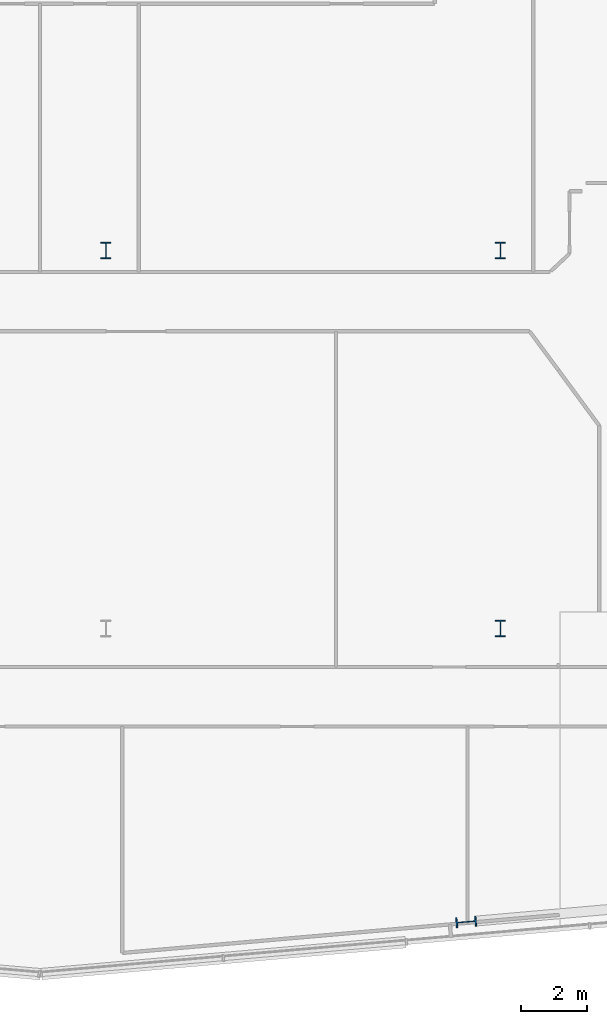
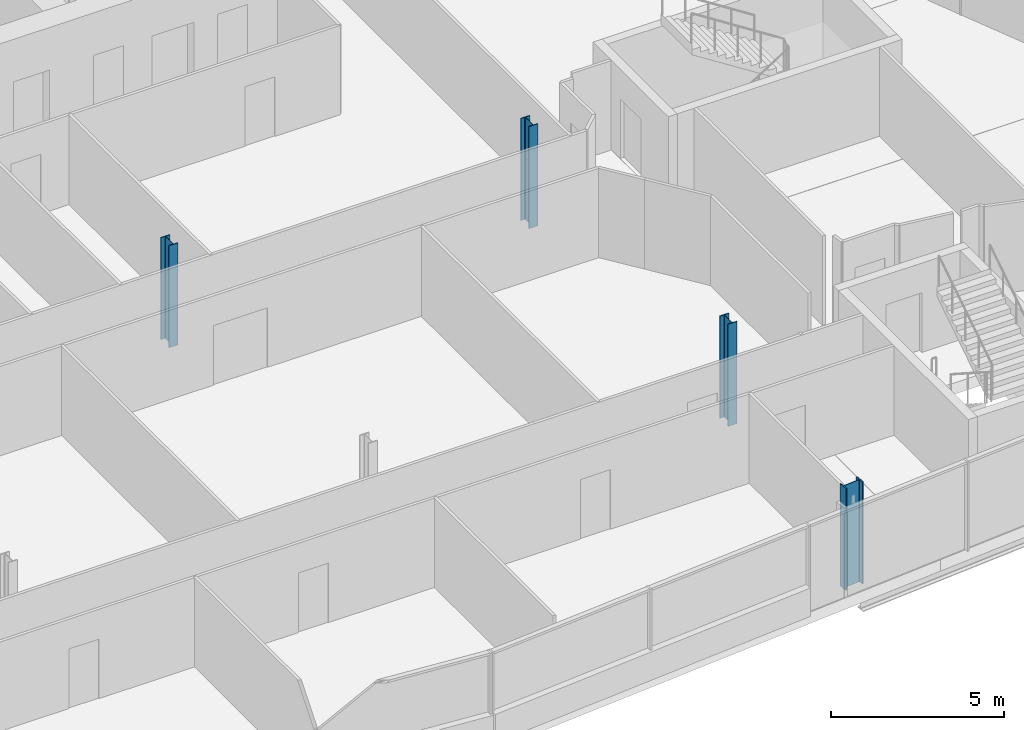
# One storey, part 2 of 24: 4 columns.
"""IFC4 building model written with IfcOpenShell, lengths in metres."""

import ifcopenshell
import ifcopenshell.guid

model = None  # the IFC model being written
_history = None  # IfcOwnerHistory: only IFC2X3 demands one
_inside = {}  # id of a spatial element -> (the spatial element, [elements in it])
_under = {}  # id of a project, library or spatial element -> (it, [spatial elements below it])
_declared = {}  # id of a project -> (the project, [libraries it declares])
_typed = {}  # id of a type object -> (the type object, [elements of that type])
_made_of = {}  # id of a material, layer set ... -> (it, [elements and type objects made of it])


def new_model(schema):
    """Start an empty IFC model of exactly this schema.

    Asked for "IFC4X3", IfcOpenShell would pick the latest addendum, in which some entities
    have other attributes; the version numbers below select the first issue.
    IFC2X3 requires an IfcOwnerHistory on every rooted entity: one is made here for all.
    """
    global model, _history
    if schema == "IFC4X3":
        model = ifcopenshell.file(schema_version=(4, 3, 0, 0))
    else:
        model = ifcopenshell.file(schema=schema)
    _inside.clear()
    _under.clear()
    _declared.clear()
    _typed.clear()
    _made_of.clear()
    _history = None
    if model.schema == "IFC2X3":
        org = make("IfcOrganization", Name="unknown")
        user = make(
            "IfcPersonAndOrganization",
            ThePerson=make("IfcPerson", FamilyName="unknown"),
            TheOrganization=org,
        )
        app = make(
            "IfcApplication",
            ApplicationDeveloper=org,
            Version="unknown",
            ApplicationFullName="unknown",
            ApplicationIdentifier="unknown",
        )
        _history = make(
            "IfcOwnerHistory",
            OwningUser=user,
            OwningApplication=app,
            ChangeAction="ADDED",
            CreationDate=0,
        )
    return model


def make(cls, **values):
    """One entity of the class cls with the attributes given. An attribute that is None is left unset."""
    return model.create_entity(
        cls, **{name: value for name, value in values.items() if value is not None}
    )


def rooted(cls, **values):
    """An entity with a GlobalId (a new one), such as an element, a storey or a relation."""
    return make(cls, GlobalId=ifcopenshell.guid.new(), OwnerHistory=_history, **values)


def si_unit(unit_type, name, prefix=None):
    """IfcSIUnit, for example si_unit("LENGTHUNIT", "METRE", prefix="MILLI")."""
    return make("IfcSIUnit", UnitType=unit_type, Prefix=prefix, Name=name)


def assignment(units):
    """IfcUnitAssignment: the units of a project."""
    return None if units is None else make("IfcUnitAssignment", Units=units)


def point(xyz):
    """IfcCartesianPoint."""
    return None if xyz is None else make("IfcCartesianPoint", Coordinates=xyz)


def direction(xyz):
    """IfcDirection."""
    return None if xyz is None else make("IfcDirection", DirectionRatios=xyz)


def frame(location, z_axis=None, x_axis=None):
    """IfcAxis2Placement3D, a coordinate frame: its origin and axes. An axis left out is left unset."""
    return make(
        "IfcAxis2Placement3D",
        Location=point(location),
        Axis=direction(z_axis),
        RefDirection=direction(x_axis),
    )


def frame_2d(location, x_axis=None):
    """IfcAxis2Placement2D, a coordinate frame in the plane: its origin and x axis."""
    return make(
        "IfcAxis2Placement2D", Location=point(location), RefDirection=direction(x_axis)
    )


def origin():
    """The frame at (0, 0, 0) with its axes left unset."""
    return frame((0.0, 0.0, 0.0))


def origin_2d():
    """The frame at (0, 0) in the plane with its x axis left unset."""
    return frame_2d((0.0, 0.0))


def place(relative_to, where):
    """IfcLocalPlacement: puts the frame where relative to a parent placement (None: the world)."""
    return make(
        "IfcLocalPlacement", PlacementRelTo=relative_to, RelativePlacement=where
    )


def context(
    kind, dimensions, precision=None, world=None, true_north=None, identifier=None
):
    """IfcGeometricRepresentationContext, for example the 3D "Model" context."""
    return make(
        "IfcGeometricRepresentationContext",
        ContextIdentifier=identifier,
        ContextType=kind,
        CoordinateSpaceDimension=dimensions,
        Precision=precision,
        WorldCoordinateSystem=world,
        TrueNorth=true_north,
    )


def subcontext(parent, identifier, kind, view, scale=None):
    """IfcGeometricRepresentationSubContext, for example "Body" below "Model"."""
    return make(
        "IfcGeometricRepresentationSubContext",
        ContextIdentifier=identifier,
        ContextType=kind,
        ParentContext=parent,
        TargetScale=scale,
        TargetView=view,
    )


def project(units=None, contexts=None):
    """IfcProject with its units and contexts."""
    return rooted(
        "IfcProject",
        Name="project",
        RepresentationContexts=contexts,
        UnitsInContext=assignment(units),
    )


def spatial(cls, under=None, at=None, **own):
    """A site, building, storey or space (cls), placed at a placement, below another one or the project."""
    s = rooted(cls, ObjectPlacement=at, **own)
    if under is not None:
        _under.setdefault(under.id(), (under, []))[1].append(s)
    return s


def profile(cls, at=None, kind="AREA", **sizes):
    """A parametric profile (cls). Its sizes go by their IFC names, for example OverallWidth=200.0."""
    return make(cls, ProfileType=kind, Position=at, **sizes)


def i_section(**sizes):
    """IfcIShapeProfileDef."""
    return profile("IfcIShapeProfileDef", **sizes)


def extrude(swept, where, along, depth):
    """IfcExtrudedAreaSolid: the profile swept, set in the frame where, extruded along a direction by depth."""
    return make(
        "IfcExtrudedAreaSolid",
        SweptArea=swept,
        Position=where,
        ExtrudedDirection=direction(along),
        Depth=depth,
    )


def shape(context_of_items, identifier, shape_type, items):
    """IfcShapeRepresentation: the items that make up one representation, for example the "Body"."""
    return make(
        "IfcShapeRepresentation",
        ContextOfItems=context_of_items,
        RepresentationIdentifier=identifier,
        RepresentationType=shape_type,
        Items=items,
    )


def material(Name=None, Category=None):
    """IfcMaterial."""
    return make("IfcMaterial", Name=Name, Category=Category)


def material_profile(
    of_material, cross_section, Name=None, Category=None, Priority=None
):
    """IfcMaterialProfile: a cross section and its material."""
    return make(
        "IfcMaterialProfile",
        Name=Name,
        Material=of_material,
        Profile=cross_section,
        Priority=Priority,
        Category=Category,
    )


def profile_set(profiles, Name=None, composite=None):
    """IfcMaterialProfileSet."""
    return make(
        "IfcMaterialProfileSet",
        Name=Name,
        MaterialProfiles=profiles,
        CompositeProfile=composite,
    )


def made_of(thing, what):
    """Note that an element or type object is made of a material, layer set ...; save() writes the relation."""
    if what is not None:
        _made_of.setdefault(what.id(), (what, []))[1].append(thing)
    return thing


def type_object(cls, material=None, **own):
    """A type object (cls), such as IfcWallType, which elements share."""
    return made_of(rooted(cls, **own), material)


def element(
    cls,
    number,
    at=None,
    inside=None,
    cuts=None,
    type_object=None,
    material=None,
    context=None,
    identifier="Body",
    shape_type=None,
    held_by="IfcProductDefinitionShape",
    body=None,
    shapes=None,
    **own,
):
    """One element of the class cls, such as IfcWall. Its Tag is "e" and its number.

    at: its placement. inside: the storey or other place that contains it. cuts: it is an
    opening in that element (IfcRelVoidsElement). A single representation is given by context,
    identifier, shape_type and body (its items); several are given by shapes. held_by: the class
    of the entity that holds the representations. save() writes the other relations.
    """
    e = rooted(cls, Tag="e%d" % number, ObjectPlacement=at, **own)
    if body is not None:
        shapes = [shape(context, identifier, shape_type, body)]
    if shapes is not None:
        e.Representation = make(held_by, Representations=shapes)
    if inside is not None:
        _inside.setdefault(inside.id(), (inside, []))[1].append(e)
    if cuts is not None:
        rooted(
            "IfcRelVoidsElement", RelatingBuildingElement=cuts, RelatedOpeningElement=e
        )
    if type_object is not None:
        _typed.setdefault(type_object.id(), (type_object, []))[1].append(e)
    return made_of(e, material)


def aggregate(whole, parts):
    """IfcRelAggregates: a whole, such as a stair, and the parts it consists of."""
    return rooted("IfcRelAggregates", RelatingObject=whole, RelatedObjects=parts)


def save(model, path):
    """Write the relations noted so far, then the file.

    IfcRelAggregates (storeys below a building ...), IfcRelContainedInSpatialStructure (elements
    in a storey), IfcRelDefinesByType, IfcRelAssociatesMaterial and IfcRelDeclares: one each for
    every whole, place, type object, material and project.
    """
    for whole, parts in _under.values():
        aggregate(whole, parts)
    for where, things in _inside.values():
        rooted(
            "IfcRelContainedInSpatialStructure",
            RelatedElements=things,
            RelatingStructure=where,
        )
    for kind, things in _typed.values():
        rooted("IfcRelDefinesByType", RelatedObjects=things, RelatingType=kind)
    for what, things in _made_of.values():
        rooted("IfcRelAssociatesMaterial", RelatedObjects=things, RelatingMaterial=what)
    for by, libraries in _declared.values():
        rooted("IfcRelDeclares", RelatingContext=by, RelatedDefinitions=libraries)
    model.write(path)


model = new_model("IFC4")

# Units and contexts
model_context = context("Model", 3, precision=1e-05, world=origin(), true_north=direction((0.0, 1.0)))
body_context = subcontext(model_context, "Body", "Model", "MODEL_VIEW")
ifc_project = project(units=[si_unit("LENGTHUNIT", "METRE"), si_unit("AREAUNIT", "SQUARE_METRE"), si_unit("VOLUMEUNIT", "CUBIC_METRE"), si_unit("PLANEANGLEUNIT", "RADIAN"), si_unit("MASSUNIT", "GRAM", prefix="KILO")], contexts=[model_context])

# Site, building, storey
site_placement = place(None, origin())
site = spatial("IfcSite", under=ifc_project, at=site_placement, CompositionType="ELEMENT")
building_placement = place(site_placement, origin())
building = spatial("IfcBuilding", under=site, at=building_placement, Name="Wharfspan Tower", CompositionType="ELEMENT")
storey_placement = place(building_placement, frame((0.0, 0.0, 198.699951)))
storey = spatial("IfcBuildingStorey", under=building, at=storey_placement, Name="L49", CompositionType="ELEMENT", Elevation=198.699951)

# Columns
ifc_material = material(Name="Steel S355J2", Category="steel")
ifc_material_profile_1 = material_profile(ifc_material, i_section(OverallWidth=0.300049, OverallDepth=0.5, WebThickness=0.014404, FlangeThickness=0.028076, FilletRadius=0.0271, at=origin_2d()))
ifc_profile_set_1 = profile_set([ifc_material_profile_1], Name="Steel S355J2")
column_type_1 = type_object("IfcColumnType", Name="Column HEB 500", PredefinedType="COLUMN", material=ifc_profile_set_1)
for number, where, z_axis, x_axis, name in (
    (1, (60.0, 11.5, 0.0), (0.0, 0.0, 1.0), (1.0, 0.0, 0.0), "Interior column I.1.4 L49"),
    (2, (48.0, 23.0, 0.0), (0.0, 0.0, 1.0), (1.0, 0.0, 0.0), "Interior column I.2.3 L49"),
    (3, (60.0, 23.0, 0.0), (0.0, 0.0, 1.0), (1.0, 0.0, 0.0), "Interior column I.2.4 L49"),
):
    element("IfcColumn", number, at=place(storey_placement, frame(where, z_axis=z_axis, x_axis=x_axis)), inside=storey, type_object=column_type_1, Name=name, PredefinedType="COLUMN", context=body_context, shape_type="SweptSolid", body=[
        extrude(i_section(OverallWidth=0.300049, OverallDepth=0.5, WebThickness=0.014404, FlangeThickness=0.028076, FilletRadius=0.0271, at=origin_2d()), origin(), (0.0, 0.0, 1.0), 3.600098),
    ])
ifc_material_profile_2 = material_profile(ifc_material, i_section(OverallWidth=0.304932, OverallDepth=0.620117, WebThickness=0.020996, FlangeThickness=0.040039, FilletRadius=0.0271, at=origin_2d()))
ifc_profile_set_2 = profile_set([ifc_material_profile_2], Name="Steel S355J2")
column_type_2 = type_object("IfcColumnType", Name="Column HEM 600", PredefinedType="COLUMN", material=ifc_profile_set_2)
column_placement = place(storey_placement, frame((58.960693, 2.573486, 0.0), z_axis=(0.0, 0.0, 1.0), x_axis=(0.087156, -0.996198, 0.0)))
element("IfcColumn", 4, at=column_placement, inside=storey, type_object=column_type_2, Name="Perimeter column PS2.1 L49", PredefinedType="COLUMN", context=body_context, shape_type="SweptSolid", body=[
    extrude(i_section(OverallWidth=0.304932, OverallDepth=0.620117, WebThickness=0.020996, FlangeThickness=0.040039, FilletRadius=0.0271, at=origin_2d()), origin(), (0.0, 0.0, 1.0), 3.600098),
])

save(model, "model.ifc")
